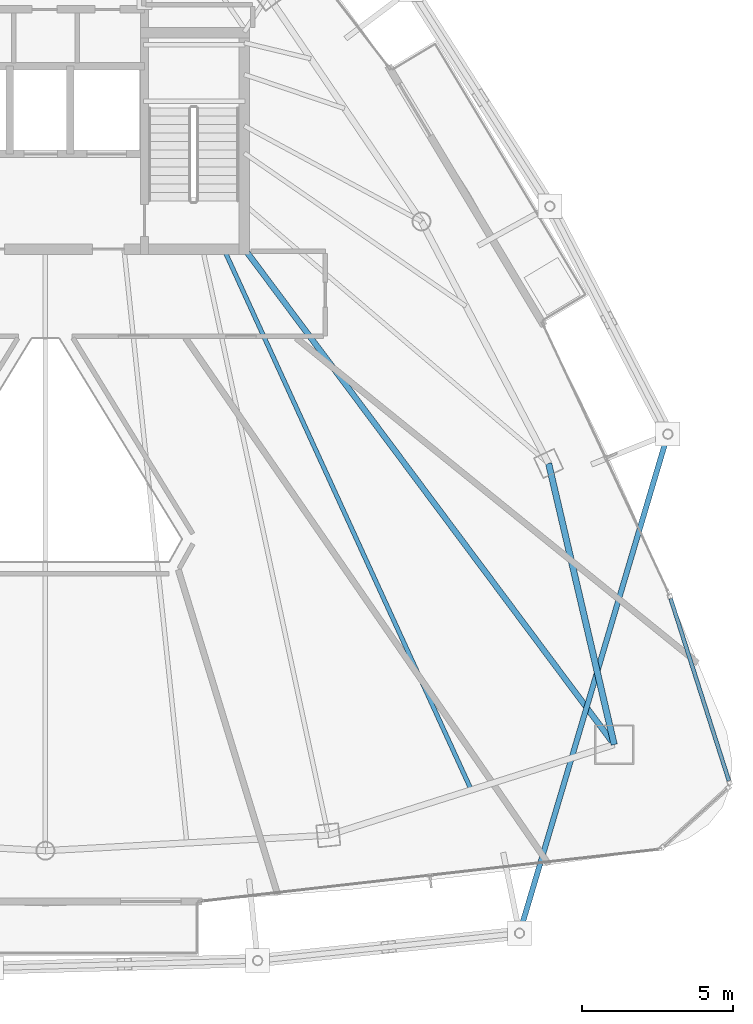
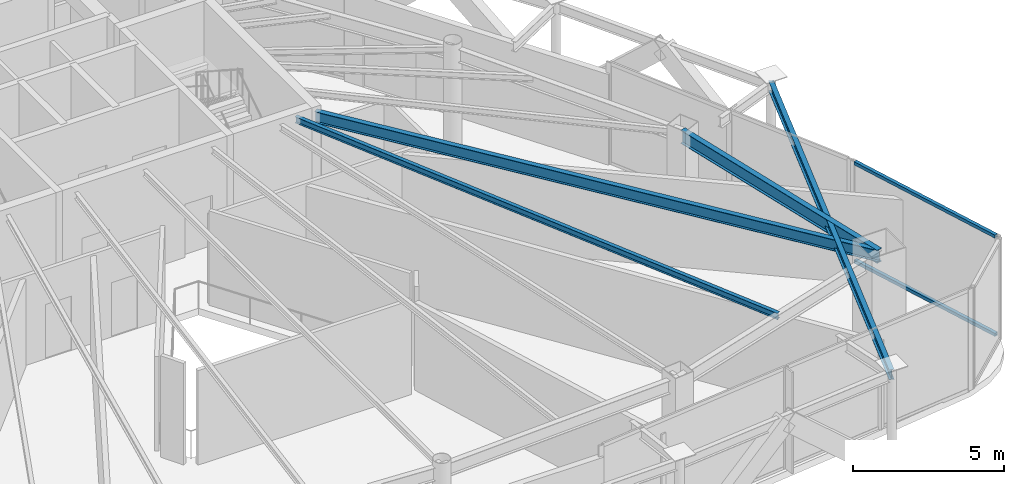
# One storey, part 12 of 25: 4 beams, 2 members, 1 element without a shape of its own.
"""IFC4 building model written with IfcOpenShell, lengths in metres."""

from ifc_helpers import new_model, si_unit, direction, frame, origin, origin_2d, place, context, subcontext, project, spatial, hollow_rectangle, i_section, extrude, material, layer, layer_set, material_profile, profile_set, type_object, element, aggregate, save


model = new_model("IFC4")

# Units and contexts
model_context = context("Model", 3, precision=1e-05, world=origin(), true_north=direction((0.0, 1.0)))
body_context = subcontext(model_context, "Body", "Model", "MODEL_VIEW")
ifc_project = project(units=[si_unit("LENGTHUNIT", "METRE"), si_unit("AREAUNIT", "SQUARE_METRE"), si_unit("VOLUMEUNIT", "CUBIC_METRE"), si_unit("PLANEANGLEUNIT", "RADIAN"), si_unit("MASSUNIT", "GRAM", prefix="KILO")], contexts=[model_context])

# Site, building, storey
site_placement = place(None, origin())
site = spatial("IfcSite", under=ifc_project, at=site_placement, CompositionType="ELEMENT")
building_placement = place(site_placement, origin())
building = spatial("IfcBuilding", under=site, at=building_placement, Name="Orvanel Arch Residences", CompositionType="ELEMENT")
storey_placement = place(building_placement, frame((0.0, 0.0, 236.0)))
storey = spatial("IfcBuildingStorey", under=building, at=storey_placement, Name="L67", CompositionType="ELEMENT", Elevation=236.0)

# Beams
ifc_material_1 = material(Name="Structural steel AS/NZS 3679.1 Grade 300 (300 MPa)", Category="steel")
ifc_material_profile_1 = material_profile(ifc_material_1, i_section(OverallWidth=0.19091796875, OverallDepth=0.4599609375, WebThickness=0.010009765625, FlangeThickness=0.01611328125, at=origin_2d()), Name="460UB82.1")
ifc_profile_set_1 = profile_set([ifc_material_profile_1], Name="Structural steel AS/NZS 3679.1 Grade 300 (300 MPa)")
beam_type_1 = type_object("IfcBeamType", Name="BG-460UB", PredefinedType="BEAM", material=ifc_profile_set_1)
beam_1_placement = place(storey_placement, frame((39.625, 26.675048828125, 3.8798828125), z_axis=(0.597893733742, -0.801575375839, 0.0), x_axis=(0.801575375839, 0.597893733742, 0.0)))
element("IfcBeam", 1, at=beam_1_placement, inside=storey, type_object=beam_type_1, Name="L67 South-East Radial Girder", PredefinedType="BEAM", context=body_context, shape_type="SweptSolid", body=[
    extrude(i_section(OverallWidth=0.19091796875, OverallDepth=0.4599609375, WebThickness=0.010009765625, FlangeThickness=0.01611328125, at=origin_2d()), origin(), (0.0, 0.0, 1.0), 20.36474609375),
])
ifc_material_profile_2 = material_profile(ifc_material_1, i_section(OverallWidth=0.14599609375, OverallDepth=0.251953125, WebThickness=0.006103515625, FlangeThickness=0.008544921875, at=origin_2d()), Name="250UB31.4")
ifc_profile_set_2 = profile_set([ifc_material_profile_2], Name="Structural steel AS/NZS 3679.1 Grade 300 (300 MPa)")
beam_type_2 = type_object("IfcBeamType", Name="BJ-250UB", PredefinedType="JOIST", material=ifc_profile_set_2)
beam_2_placement = place(storey_placement, frame((38.89990234375, 26.72509765625, 3.98388671875), z_axis=(0.416009574066, -0.909360233508, 0.0), x_axis=(0.909360233508, 0.416009574066, 0.0)))
element("IfcBeam", 2, at=beam_2_placement, inside=storey, type_object=beam_type_2, Name="L67 JADD2 Wing Floor Joist", PredefinedType="JOIST", context=body_context, shape_type="SweptSolid", body=[
    extrude(i_section(OverallWidth=0.14599609375, OverallDepth=0.251953125, WebThickness=0.006103515625, FlangeThickness=0.008544921875, at=origin_2d()), origin(), (0.0, 0.0, 1.0), 19.653564453125),
])
ifc_material_profile_3 = material_profile(ifc_material_1, i_section(OverallWidth=0.177978515625, OverallDepth=0.406005859375, WebThickness=0.0078125, FlangeThickness=0.0126953125, at=origin_2d()), Name="410UB59.7")
ifc_profile_set_3 = profile_set([ifc_material_profile_3], Name="Structural steel AS/NZS 3679.1 Grade 300 (300 MPa)")
beam_type_3 = type_object("IfcBeamType", Name="OB-410UB-EXT", PredefinedType="SPANDREL", material=ifc_profile_set_3)
beam_3_placement = place(storey_placement, frame((48.6708984375, 4.115966796875, 3.906982421875), z_axis=(0.284907913433, 0.958554891941, 0.0), x_axis=(-0.958554891941, 0.284907913433, 0.0)))
element("IfcBeam", 3, at=beam_3_placement, inside=storey, type_object=beam_type_3, Name="L67 Outer Perimeter Floor Ring Beam 08", PredefinedType="SPANDREL", context=body_context, shape_type="SweptSolid", body=[
    extrude(i_section(OverallWidth=0.177978515625, OverallDepth=0.406005859375, WebThickness=0.0078125, FlangeThickness=0.0126953125, at=origin_2d()), origin(), (0.0, 0.0, 1.0), 17.209228515625),
])
ifc_material_profile_4 = material_profile(ifc_material_1, i_section(OverallWidth=0.208984375, OverallDepth=0.532958984375, WebThickness=0.01025390625, FlangeThickness=0.015625, at=origin_2d()), Name="530UB92.4")
ifc_profile_set_4 = profile_set([ifc_material_profile_4], Name="Structural steel AS/NZS 3679.1 Grade 300 (300 MPa)")
beam_type_4 = type_object("IfcBeamType", Name="SP-530UB", PredefinedType="SPANDREL", material=ifc_profile_set_4)
beam_4_placement = place(storey_placement, frame((51.801025390625, 10.35107421875, 3.843994140625), z_axis=(-0.227236087167, 0.973839699688, 0.0), x_axis=(-0.973839699688, -0.227236087167, 0.0)))
element("IfcBeam", 4, at=beam_4_placement, inside=storey, type_object=beam_type_4, Name="L67 Perimeter Spandrel Beam 06", PredefinedType="SPANDREL", context=body_context, shape_type="SweptSolid", body=[
    extrude(i_section(OverallWidth=0.208984375, OverallDepth=0.532958984375, WebThickness=0.01025390625, FlangeThickness=0.015625, at=origin_2d()), origin(), (0.0, 0.0, 1.0), 9.54052734375),
])

# Curtain wall, members
ifc_material_2 = material(Name="Bronze-anodised aluminium AA6063-T6", Category="aluminium")
ifc_layer = layer(ifc_material_2, 0.18994140625)
ifc_layer_set = layer_set([ifc_layer], Name="Bronze-anodised aluminium AA6063-T6")
curtain_wall_type = type_object("IfcCurtainWallType", Name="CW5-CRN-SYS", PredefinedType="NOTDEFINED", material=ifc_layer_set)
curtain_wall_placement = place(storey_placement, origin())
curtain_wall = element("IfcCurtainWall", 5, at=curtain_wall_placement, inside=storey, type_object=curtain_wall_type, Name="L67 CW5-CRN-SYS Unitised Curtain Wall", PredefinedType="NOTDEFINED")
ifc_material_profile_5 = material_profile(ifc_material_2, hollow_rectangle(XDim=0.1298828125, YDim=0.1298828125, WallThickness=0.00439453125, at=origin_2d()), Name="ALU130x130x4.5")
ifc_profile_set_5 = profile_set([ifc_material_profile_5], Name="Bronze-anodised aluminium AA6063-T6")
member_type = type_object("IfcMemberType", Name="TRN-130x130", PredefinedType="USERDEFINED", material=ifc_profile_set_5)
member_1_placement = place(storey_placement, frame((55.59228515625, 9.15380859375, 0.06494140625), z_axis=(-0.30463991543, 0.952467596261, 0.0), x_axis=(-0.952467596261, -0.30463991543, 0.0)))
member_1 = element("IfcMember", 6, at=member_1_placement, type_object=member_type, Name="CW-S5 transom 1.1", ObjectType="TRANSOM", PredefinedType="USERDEFINED", context=body_context, shape_type="SweptSolid", body=[
    extrude(hollow_rectangle(XDim=0.1298828125, YDim=0.1298828125, WallThickness=0.00439453125, at=origin_2d()), origin(), (0.0, 0.0, 1.0), 6.3271484375),
])
member_2_placement = place(storey_placement, frame((55.59228515625, 9.15380859375, 4.044921875), z_axis=(-0.30463991543, 0.952467596261, 0.0), x_axis=(-0.952467596261, -0.30463991543, 0.0)))
member_2 = element("IfcMember", 7, at=member_2_placement, type_object=member_type, Name="CW-S5 transom 1.2", ObjectType="TRANSOM", PredefinedType="USERDEFINED", context=body_context, shape_type="SweptSolid", body=[
    extrude(hollow_rectangle(XDim=0.1298828125, YDim=0.1298828125, WallThickness=0.00439453125, at=origin_2d()), origin(), (0.0, 0.0, 1.0), 6.3271484375),
])
aggregate(curtain_wall, [member_1, member_2])

save(model, "model.ifc")
